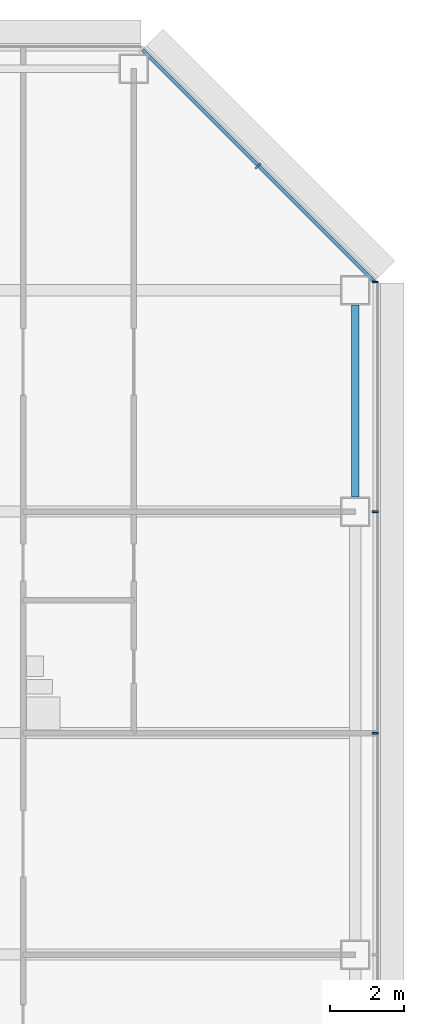
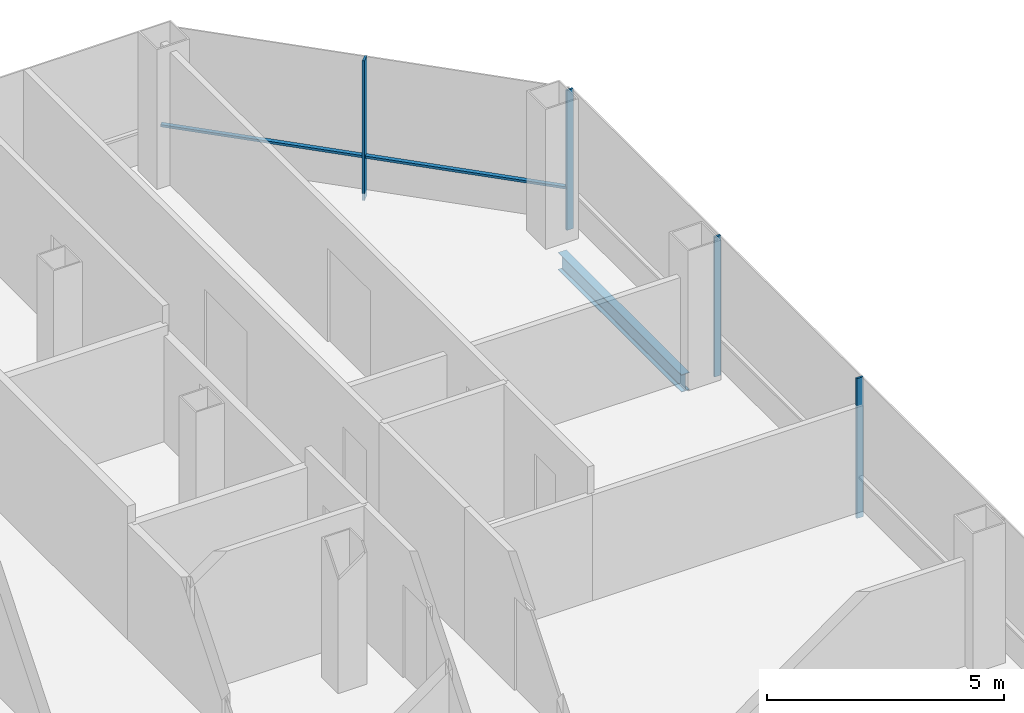
# One storey, part 17 of 25: 5 members, 1 beam, 2 elements without a shape of their own.
"""IFC4 building model written with IfcOpenShell, lengths in metres."""

from ifc_helpers import new_model, si_unit, direction, frame, origin, origin_2d, place, context, subcontext, project, spatial, rectangle, i_section, extrude, material, material_profile, profile_set, type_object, element, aggregate, save


model = new_model("IFC4")

# Units and contexts
model_context = context("Model", 3, precision=1e-05, world=origin(), true_north=direction((0.0, 1.0)))
body_context = subcontext(model_context, "Body", "Model", "MODEL_VIEW")
ifc_project = project(units=[si_unit("LENGTHUNIT", "METRE"), si_unit("AREAUNIT", "SQUARE_METRE"), si_unit("VOLUMEUNIT", "CUBIC_METRE"), si_unit("PLANEANGLEUNIT", "RADIAN"), si_unit("MASSUNIT", "GRAM", prefix="KILO")], contexts=[model_context])

# Site, building, storey
site_placement = place(None, origin())
site = spatial("IfcSite", under=ifc_project, at=site_placement, CompositionType="ELEMENT")
building_placement = place(site_placement, origin())
building = spatial("IfcBuilding", under=site, at=building_placement, Name="Sorahane Residences", CompositionType="ELEMENT")
storey_placement = place(building_placement, frame((0.0, 0.0, 126.800048828125)))
storey = spatial("IfcBuildingStorey", under=building, at=storey_placement, Name="L28", CompositionType="ELEMENT", Elevation=126.800048828125)

# Curtain wall, members
ifc_material_1 = material(Name="Dark low-e glass and black anodised aluminium", Category="aluminium")
curtain_wall_type_1 = type_object("IfcCurtainWallType", Name="Curtain wall CW-1 Typical unitised wall", PredefinedType="NOTDEFINED", material=ifc_material_1)
curtain_wall_1_placement = place(storey_placement, origin())
curtain_wall_1 = element("IfcCurtainWall", 1, at=curtain_wall_1_placement, inside=storey, type_object=curtain_wall_type_1, Name="CW-1 curtain wall L28 E1", PredefinedType="NOTDEFINED")
ifc_material_2 = material(Name="Black anodised aluminium", Category="aluminium")
ifc_material_profile_1 = material_profile(ifc_material_2, rectangle(XDim=0.159912109375, YDim=0.050048828125, at=origin_2d()), Name="Curtain wall mullion CW-1 black anodised aluminium 50x160")
ifc_profile_set_1 = profile_set([ifc_material_profile_1], Name="Black anodised aluminium")
member_type_1 = type_object("IfcMemberType", Name="Curtain wall mullion CW-1 black anodised aluminium 50x160", PredefinedType="MULLION", material=ifc_profile_set_1)
member_1_placement = place(storey_placement, frame((60.5400390625, 30.0, -0.179931640625), z_axis=(0.0, 0.0, 1.0), x_axis=(1.0, 0.0, 0.0)))
member_1 = element("IfcMember", 2, at=member_1_placement, type_object=member_type_1, Name="CW-1 mullion L28 E1.5", PredefinedType="MULLION", context=body_context, shape_type="SweptSolid", body=[
    extrude(rectangle(XDim=0.159912109375, YDim=0.050048828125, at=origin_2d()), origin(), (0.0, 0.0, 1.0), 3.599853515625),
])
member_2_placement = place(storey_placement, frame((60.5400390625, 36.0, -0.179931640625), z_axis=(0.0, 0.0, 1.0), x_axis=(1.0, 0.0, 0.0)))
member_2 = element("IfcMember", 3, at=member_2_placement, type_object=member_type_1, Name="CW-1 mullion L28 E1.6", PredefinedType="MULLION", context=body_context, shape_type="SweptSolid", body=[
    extrude(rectangle(XDim=0.159912109375, YDim=0.050048828125, at=origin_2d()), origin(), (0.0, 0.0, 1.0), 3.599853515625),
])
member_3_placement = place(storey_placement, frame((60.5400390625, 42.2236328125, -0.179931640625), z_axis=(0.0, 0.0, 1.0), x_axis=(1.0, 0.0, 0.0)))
member_3 = element("IfcMember", 4, at=member_3_placement, type_object=member_type_1, Name="CW-1 mullion L28 E1.7", PredefinedType="MULLION", context=body_context, shape_type="SweptSolid", body=[
    extrude(rectangle(XDim=0.159912109375, YDim=0.050048828125, at=origin_2d()), origin(), (0.0, 0.0, 1.0), 3.599853515625),
])
aggregate(curtain_wall_1, [member_1, member_2, member_3])

ifc_material_3 = material(Name="Dark low-e glass and black anodised aluminium", Category="aluminium")
curtain_wall_type_2 = type_object("IfcCurtainWallType", Name="Curtain wall CW-2 Chamfer unitised wall", PredefinedType="NOTDEFINED", material=ifc_material_3)
curtain_wall_2_placement = place(storey_placement, origin())
curtain_wall_2 = element("IfcCurtainWall", 5, at=curtain_wall_2_placement, inside=storey, type_object=curtain_wall_type_2, Name="CW-2 curtain wall L28 NE1", PredefinedType="NOTDEFINED")
ifc_material_4 = material(Name="Black anodised aluminium", Category="aluminium")
ifc_material_profile_2 = material_profile(ifc_material_4, rectangle(XDim=0.199951171875, YDim=0.050048828125, at=origin_2d()), Name="Curtain wall mullion CW-2 black anodised aluminium 50x200")
ifc_profile_set_2 = profile_set([ifc_material_profile_2], Name="Black anodised aluminium")
member_type_2 = type_object("IfcMemberType", Name="Curtain wall mullion CW-2 black anodised aluminium 50x200", PredefinedType="MULLION", material=ifc_profile_set_2)
member_4_placement = place(storey_placement, frame((57.36767578125, 45.36767578125, -0.179931640625), z_axis=(0.0, 0.0, 1.0), x_axis=(0.707106781187, 0.707106781187, 0.0)))
member_4 = element("IfcMember", 6, at=member_4_placement, type_object=member_type_2, Name="CW-2 mullion L28 NE1.2", PredefinedType="MULLION", context=body_context, shape_type="SweptSolid", body=[
    extrude(rectangle(XDim=0.199951171875, YDim=0.050048828125, at=origin_2d()), origin(), (0.0, 0.0, 1.0), 3.599853515625),
])
ifc_material_5 = material(Name="Black anodised aluminium", Category="aluminium")
ifc_material_profile_3 = material_profile(ifc_material_5, rectangle(XDim=0.10009765625, YDim=0.06005859375, at=origin_2d()), Name="Curtain wall transom CW-2 black anodised aluminium 60x100")
ifc_profile_set_3 = profile_set([ifc_material_profile_3], Name="Black anodised aluminium")
member_type_3 = type_object("IfcMemberType", Name="Curtain wall transom CW-2 black anodised aluminium 60x100", PredefinedType="USERDEFINED", material=ifc_profile_set_3)
member_5_placement = place(storey_placement, frame((60.51513671875, 42.234375, 0.89990234375), z_axis=(-0.707106781187, 0.707106781187, 0.0), x_axis=(-0.707106781187, -0.707106781187, 0.0)))
member_5 = element("IfcMember", 7, at=member_5_placement, type_object=member_type_3, Name="CW-2 transom L28 NE1", ObjectType="TRANSOM", PredefinedType="USERDEFINED", context=body_context, shape_type="SweptSolid", body=[
    extrude(rectangle(XDim=0.10009765625, YDim=0.06005859375, at=origin_2d()), origin(), (0.0, 0.0, 1.0), 8.88232421875),
])
aggregate(curtain_wall_2, [member_4, member_5])

# Beam
ifc_material_6 = material(Name="Steel Q355B", Category="steel")
ifc_material_profile_4 = material_profile(ifc_material_6, i_section(OverallWidth=0.199951171875, OverallDepth=0.449951171875, WebThickness=0.009033203125, FlangeThickness=0.013916015625, FilletRadius=0.02001953125, at=origin_2d()), Name="HN 450x200x9x14")
ifc_profile_set_4 = profile_set([ifc_material_profile_4], Name="Steel Q355B")
beam_type = type_object("IfcBeamType", Name="Steel floor beam HN 450x200x9x14 Q355B", PredefinedType="BEAM", material=ifc_profile_set_4)
beam_placement = place(storey_placement, frame((60.0, 36.39990234375, -0.405029296875), z_axis=(0.0, 1.0, 0.0), x_axis=(-1.0, 0.0, 0.0)))
element("IfcBeam", 8, at=beam_placement, inside=storey, type_object=beam_type, Name="Beam L28 067", PredefinedType="BEAM", context=body_context, shape_type="SweptSolid", body=[
    extrude(i_section(OverallWidth=0.199951171875, OverallDepth=0.449951171875, WebThickness=0.009033203125, FlangeThickness=0.013916015625, FilletRadius=0.02001953125, at=origin_2d()), origin(), (0.0, 0.0, 1.0), 5.2001953125),
])

save(model, "model.ifc")
